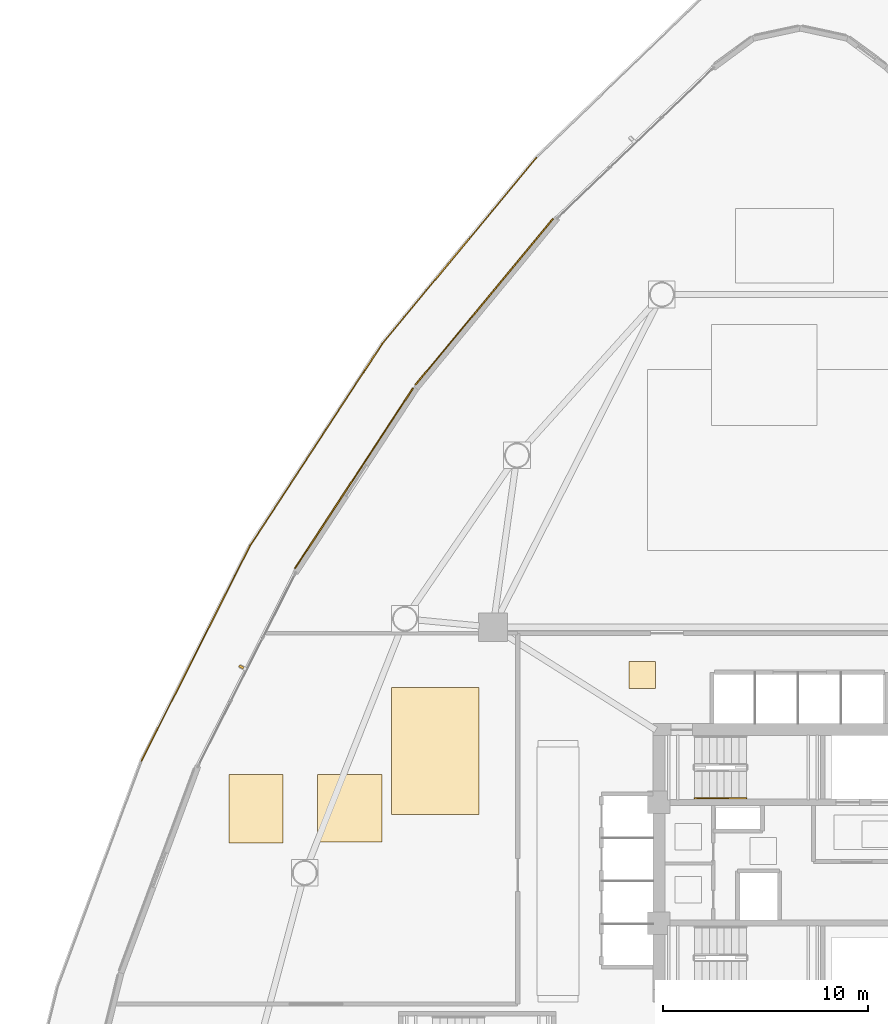
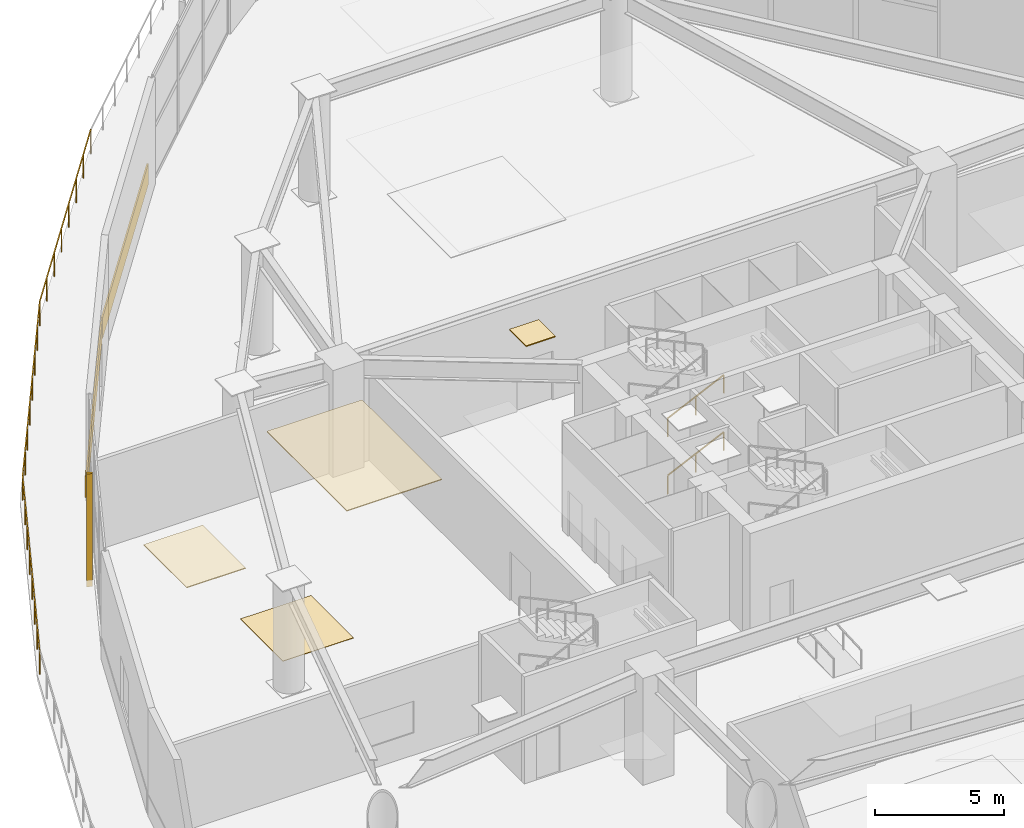
# One storey, part 21 of 25: 6 coverings, 5 railings, 1 shading device.
"""IFC4 building model written with IfcOpenShell, lengths in metres."""

import ifcopenshell
import ifcopenshell.guid

model = None  # the IFC model being written
_history = None  # IfcOwnerHistory: only IFC2X3 demands one
_inside = {}  # id of a spatial element -> (the spatial element, [elements in it])
_under = {}  # id of a project, library or spatial element -> (it, [spatial elements below it])
_declared = {}  # id of a project -> (the project, [libraries it declares])
_typed = {}  # id of a type object -> (the type object, [elements of that type])
_made_of = {}  # id of a material, layer set ... -> (it, [elements and type objects made of it])


def new_model(schema):
    """Start an empty IFC model of exactly this schema.

    Asked for "IFC4X3", IfcOpenShell would pick the latest addendum, in which some entities
    have other attributes; the version numbers below select the first issue.
    IFC2X3 requires an IfcOwnerHistory on every rooted entity: one is made here for all.
    """
    global model, _history
    if schema == "IFC4X3":
        model = ifcopenshell.file(schema_version=(4, 3, 0, 0))
    else:
        model = ifcopenshell.file(schema=schema)
    _inside.clear()
    _under.clear()
    _declared.clear()
    _typed.clear()
    _made_of.clear()
    _history = None
    if model.schema == "IFC2X3":
        org = make("IfcOrganization", Name="unknown")
        user = make(
            "IfcPersonAndOrganization",
            ThePerson=make("IfcPerson", FamilyName="unknown"),
            TheOrganization=org,
        )
        app = make(
            "IfcApplication",
            ApplicationDeveloper=org,
            Version="unknown",
            ApplicationFullName="unknown",
            ApplicationIdentifier="unknown",
        )
        _history = make(
            "IfcOwnerHistory",
            OwningUser=user,
            OwningApplication=app,
            ChangeAction="ADDED",
            CreationDate=0,
        )
    return model


def make(cls, **values):
    """One entity of the class cls with the attributes given. An attribute that is None is left unset."""
    return model.create_entity(
        cls, **{name: value for name, value in values.items() if value is not None}
    )


def rooted(cls, **values):
    """An entity with a GlobalId (a new one), such as an element, a storey or a relation."""
    return make(cls, GlobalId=ifcopenshell.guid.new(), OwnerHistory=_history, **values)


def si_unit(unit_type, name, prefix=None):
    """IfcSIUnit, for example si_unit("LENGTHUNIT", "METRE", prefix="MILLI")."""
    return make("IfcSIUnit", UnitType=unit_type, Prefix=prefix, Name=name)


def assignment(units):
    """IfcUnitAssignment: the units of a project."""
    return None if units is None else make("IfcUnitAssignment", Units=units)


def point(xyz):
    """IfcCartesianPoint."""
    return None if xyz is None else make("IfcCartesianPoint", Coordinates=xyz)


def direction(xyz):
    """IfcDirection."""
    return None if xyz is None else make("IfcDirection", DirectionRatios=xyz)


def frame(location, z_axis=None, x_axis=None):
    """IfcAxis2Placement3D, a coordinate frame: its origin and axes. An axis left out is left unset."""
    return make(
        "IfcAxis2Placement3D",
        Location=point(location),
        Axis=direction(z_axis),
        RefDirection=direction(x_axis),
    )


def frame_2d(location, x_axis=None):
    """IfcAxis2Placement2D, a coordinate frame in the plane: its origin and x axis."""
    return make(
        "IfcAxis2Placement2D", Location=point(location), RefDirection=direction(x_axis)
    )


def origin():
    """The frame at (0, 0, 0) with its axes left unset."""
    return frame((0.0, 0.0, 0.0))


def origin_2d():
    """The frame at (0, 0) in the plane with its x axis left unset."""
    return frame_2d((0.0, 0.0))


def place(relative_to, where):
    """IfcLocalPlacement: puts the frame where relative to a parent placement (None: the world)."""
    return make(
        "IfcLocalPlacement", PlacementRelTo=relative_to, RelativePlacement=where
    )


def context(
    kind, dimensions, precision=None, world=None, true_north=None, identifier=None
):
    """IfcGeometricRepresentationContext, for example the 3D "Model" context."""
    return make(
        "IfcGeometricRepresentationContext",
        ContextIdentifier=identifier,
        ContextType=kind,
        CoordinateSpaceDimension=dimensions,
        Precision=precision,
        WorldCoordinateSystem=world,
        TrueNorth=true_north,
    )


def subcontext(parent, identifier, kind, view, scale=None):
    """IfcGeometricRepresentationSubContext, for example "Body" below "Model"."""
    return make(
        "IfcGeometricRepresentationSubContext",
        ContextIdentifier=identifier,
        ContextType=kind,
        ParentContext=parent,
        TargetScale=scale,
        TargetView=view,
    )


def project(units=None, contexts=None):
    """IfcProject with its units and contexts."""
    return rooted(
        "IfcProject",
        Name="project",
        RepresentationContexts=contexts,
        UnitsInContext=assignment(units),
    )


def spatial(cls, under=None, at=None, **own):
    """A site, building, storey or space (cls), placed at a placement, below another one or the project."""
    s = rooted(cls, ObjectPlacement=at, **own)
    if under is not None:
        _under.setdefault(under.id(), (under, []))[1].append(s)
    return s


def polyline(points):
    """IfcPolyline through the points."""
    return make("IfcPolyline", Points=[point(p) for p in points])


def profile(cls, at=None, kind="AREA", **sizes):
    """A parametric profile (cls). Its sizes go by their IFC names, for example OverallWidth=200.0."""
    return make(cls, ProfileType=kind, Position=at, **sizes)


def rectangle(**sizes):
    """IfcRectangleProfileDef."""
    return profile("IfcRectangleProfileDef", **sizes)


def outline(outer, holes=None, kind="AREA"):
    """IfcArbitraryClosedProfileDef: a profile drawn as a closed curve; with holes, ...WithVoids."""
    if holes is None:
        return make("IfcArbitraryClosedProfileDef", ProfileType=kind, OuterCurve=outer)
    return make(
        "IfcArbitraryProfileDefWithVoids",
        ProfileType=kind,
        OuterCurve=outer,
        InnerCurves=holes,
    )


def extrude(swept, where, along, depth):
    """IfcExtrudedAreaSolid: the profile swept, set in the frame where, extruded along a direction by depth."""
    return make(
        "IfcExtrudedAreaSolid",
        SweptArea=swept,
        Position=where,
        ExtrudedDirection=direction(along),
        Depth=depth,
    )


def shape(context_of_items, identifier, shape_type, items):
    """IfcShapeRepresentation: the items that make up one representation, for example the "Body"."""
    return make(
        "IfcShapeRepresentation",
        ContextOfItems=context_of_items,
        RepresentationIdentifier=identifier,
        RepresentationType=shape_type,
        Items=items,
    )


def source(mapping_origin, context_of_items, identifier, shape_type, items):
    """IfcRepresentationMap: a shape defined once, which mapped items show again and again."""
    return make(
        "IfcRepresentationMap",
        MappingOrigin=mapping_origin,
        MappedRepresentation=shape(context_of_items, identifier, shape_type, items),
    )


def transform(
    local_origin,
    x_axis=None,
    y_axis=None,
    z_axis=None,
    scale=None,
    scale2=None,
    scale3=None,
    uniform=True,
):
    """IfcCartesianTransformationOperator3D, or its non-uniform kind. x_axis, y_axis, z_axis: its Axis1, 2, 3."""
    if uniform:
        return make(
            "IfcCartesianTransformationOperator3D",
            Axis1=direction(x_axis),
            Axis2=direction(y_axis),
            LocalOrigin=point(local_origin),
            Scale=scale,
            Axis3=direction(z_axis),
        )
    return make(
        "IfcCartesianTransformationOperator3DnonUniform",
        Axis1=direction(x_axis),
        Axis2=direction(y_axis),
        LocalOrigin=point(local_origin),
        Scale=scale,
        Axis3=direction(z_axis),
        Scale2=scale2,
        Scale3=scale3,
    )


def mapped(mapping_source, mapping_target):
    """IfcMappedItem: shows the shape of a source again, moved by a transform."""
    return make(
        "IfcMappedItem", MappingSource=mapping_source, MappingTarget=mapping_target
    )


def material(Name=None, Category=None):
    """IfcMaterial."""
    return make("IfcMaterial", Name=Name, Category=Category)


def layer(
    of_material, thickness, ventilated=None, Name=None, Category=None, Priority=None
):
    """IfcMaterialLayer: one layer of a wall or slab, of a material (None: an air gap)."""
    return make(
        "IfcMaterialLayer",
        Material=of_material,
        LayerThickness=thickness,
        IsVentilated=ventilated,
        Name=Name,
        Category=Category,
        Priority=Priority,
    )


def layer_set(layers, Name=None):
    """IfcMaterialLayerSet."""
    return make("IfcMaterialLayerSet", MaterialLayers=layers, LayerSetName=Name)


def made_of(thing, what):
    """Note that an element or type object is made of a material, layer set ...; save() writes the relation."""
    if what is not None:
        _made_of.setdefault(what.id(), (what, []))[1].append(thing)
    return thing


def type_object(cls, material=None, **own):
    """A type object (cls), such as IfcWallType, which elements share."""
    return made_of(rooted(cls, **own), material)


def type_shapes(of_type, sources):
    """Give a type object the sources (RepresentationMaps) that its elements show as mapped items."""
    of_type.RepresentationMaps = sources


def element(
    cls,
    number,
    at=None,
    inside=None,
    cuts=None,
    type_object=None,
    material=None,
    context=None,
    identifier="Body",
    shape_type=None,
    held_by="IfcProductDefinitionShape",
    body=None,
    shapes=None,
    **own,
):
    """One element of the class cls, such as IfcWall. Its Tag is "e" and its number.

    at: its placement. inside: the storey or other place that contains it. cuts: it is an
    opening in that element (IfcRelVoidsElement). A single representation is given by context,
    identifier, shape_type and body (its items); several are given by shapes. held_by: the class
    of the entity that holds the representations. save() writes the other relations.
    """
    e = rooted(cls, Tag="e%d" % number, ObjectPlacement=at, **own)
    if body is not None:
        shapes = [shape(context, identifier, shape_type, body)]
    if shapes is not None:
        e.Representation = make(held_by, Representations=shapes)
    if inside is not None:
        _inside.setdefault(inside.id(), (inside, []))[1].append(e)
    if cuts is not None:
        rooted(
            "IfcRelVoidsElement", RelatingBuildingElement=cuts, RelatedOpeningElement=e
        )
    if type_object is not None:
        _typed.setdefault(type_object.id(), (type_object, []))[1].append(e)
    return made_of(e, material)


def aggregate(whole, parts):
    """IfcRelAggregates: a whole, such as a stair, and the parts it consists of."""
    return rooted("IfcRelAggregates", RelatingObject=whole, RelatedObjects=parts)


def save(model, path):
    """Write the relations noted so far, then the file.

    IfcRelAggregates (storeys below a building ...), IfcRelContainedInSpatialStructure (elements
    in a storey), IfcRelDefinesByType, IfcRelAssociatesMaterial and IfcRelDeclares: one each for
    every whole, place, type object, material and project.
    """
    for whole, parts in _under.values():
        aggregate(whole, parts)
    for where, things in _inside.values():
        rooted(
            "IfcRelContainedInSpatialStructure",
            RelatedElements=things,
            RelatingStructure=where,
        )
    for kind, things in _typed.values():
        rooted("IfcRelDefinesByType", RelatedObjects=things, RelatingType=kind)
    for what, things in _made_of.values():
        rooted("IfcRelAssociatesMaterial", RelatedObjects=things, RelatingMaterial=what)
    for by, libraries in _declared.values():
        rooted("IfcRelDeclares", RelatingContext=by, RelatedDefinitions=libraries)
    model.write(path)


model = new_model("IFC4")

# Units and contexts
model_context = context("Model", 3, precision=1e-05, world=origin(), true_north=direction((0.0, 1.0)))
body_context = subcontext(model_context, "Body", "Model", "MODEL_VIEW")
ifc_project = project(units=[si_unit("LENGTHUNIT", "METRE"), si_unit("AREAUNIT", "SQUARE_METRE"), si_unit("VOLUMEUNIT", "CUBIC_METRE"), si_unit("PLANEANGLEUNIT", "RADIAN"), si_unit("MASSUNIT", "GRAM", prefix="KILO")], contexts=[model_context])

# Site, building, storey
site_placement = place(None, origin())
site = spatial("IfcSite", under=ifc_project, at=site_placement, CompositionType="ELEMENT")
building_placement = place(site_placement, origin())
building = spatial("IfcBuilding", under=site, at=building_placement, Name="Tavelor Broadcast Tower", CompositionType="ELEMENT")
storey_placement = place(building_placement, frame((0.0, 0.0, 11.39990234375)))
storey = spatial("IfcBuildingStorey", under=building, at=storey_placement, Name="L02", CompositionType="ELEMENT", Elevation=11.39990234375)

# Covering
ifc_material_1 = material(Name="Copper-Bronze Anodized Aluminium", Category="aluminium")
ifc_layer_1 = layer(ifc_material_1, 0.044921875)
ifc_layer_set_1 = layer_set([ifc_layer_1], Name="Copper-Bronze Anodized Aluminium")
covering_type_1 = type_object("IfcCoveringType", Name="Anodised Bronze Linear Slatted Concourse Ceiling 45 mm", PredefinedType="CEILING", material=ifc_layer_set_1)
covering_1_placement = place(storey_placement, frame((0.0, 0.0, 5.005126953125)))
element("IfcCovering", 1, at=covering_1_placement, inside=storey, type_object=covering_type_1, Name="L02 Suspended Acoustic Ceiling 0059", PredefinedType="CEILING", context=body_context, shape_type="SweptSolid", body=[
    extrude(outline(polyline([(41.627197265625, 53.513671875), (42.92724609375, 53.513671875), (42.92724609375, 54.813720703125), (41.627197265625, 54.813720703125), (41.627197265625, 53.513671875)])), origin(), (0.0, 0.0, 1.0), 0.044921875),
])

# Railings
ifc_material_2 = material(Name="Steel S355", Category="steel")
railing_type_1 = type_object("IfcRailingType", Name="Continuous Brushed Stainless Handrail 900 mm", PredefinedType="HANDRAIL", material=ifc_material_2)
for number, where, name in (
    (2, (44.85009765625, 48.14990234375, 0.1689453125), "L02 ST1 stair handrail 1"),
    (3, (44.85009765625, 48.14990234375, 2.868896484375), "L02 ST1 stair handrail 3"),
):
    element("IfcRailing", number, at=place(storey_placement, frame(where)), inside=storey, type_object=railing_type_1, Name=name, PredefinedType="HANDRAIL", context=body_context, shape_type="SweptSolid", body=[
        extrude(rectangle(XDim=0.048095703125, YDim=0.048095703125, at=origin_2d()), frame((0.0, 0.0, 0.8759765625), z_axis=(0.905473684625, 0.0, 0.424402410988), x_axis=(0.0, 1.0, 0.0)), (0.0, 0.0, 1.0), 2.783203125),
        extrude(rectangle(XDim=0.0419921875, YDim=0.0419921875, at=origin_2d()), origin(), (0.0, 0.0, 1.0), 0.851806640625),
        extrude(rectangle(XDim=0.0419921875, YDim=0.0419921875, at=origin_2d()), frame((1.260009765625, 0.0, 0.590576171875)), (0.0, 0.0, 1.0), 0.851806640625),
        extrude(rectangle(XDim=0.0419921875, YDim=0.0419921875, at=origin_2d()), frame((2.52001953125, 0.0, 1.18115234375)), (0.0, 0.0, 1.0), 0.851806640625),
    ])

# Covering
ifc_material_3 = material(Name="Acoustic Nylon Carpet Tile")
ifc_layer_2 = layer(ifc_material_3, 0.02001953125)
ifc_layer_set_2 = layer_set([ifc_layer_2], Name="Acoustic Nylon Carpet Tile")
covering_type_2 = type_object("IfcCoveringType", Name="Heavy-Duty Acoustic Broadcast Carpet Tile 20 mm", PredefinedType="FLOORING", material=ifc_layer_set_2)
covering_2_placement = place(storey_placement, origin())
element("IfcCovering", 4, at=covering_2_placement, inside=storey, type_object=covering_type_2, Name="L02 Broadcast Floor Finish 0029", PredefinedType="FLOORING", context=body_context, shape_type="SweptSolid", body=[
    extrude(outline(polyline([(26.419677734375, 46.01220703125), (29.5791015625, 46.01220703125), (29.5791015625, 49.3076171875), (26.419677734375, 49.3076171875), (26.419677734375, 46.01220703125)])), origin(), (0.0, 0.0, 1.0), 0.02001953125),
])

# Railings
railing_type_2 = type_object("IfcRailingType", Name="Planted Terrace Laminated Glass Balustrade 1150 mm", PredefinedType="BALUSTRADE", material=ifc_material_2)
railing_1_placement = place(storey_placement, frame((37.11865234375, 79.440185546875, 0.0)))
element("IfcRailing", 5, at=railing_1_placement, inside=storey, type_object=railing_type_2, Name="L02 Cascading Garden Terrace 1 Balustrade #39", PredefinedType="BALUSTRADE", context=body_context, shape_type="SweptSolid", body=[
    extrude(rectangle(XDim=0.048095703125, YDim=0.048095703125, at=origin_2d()), frame((0.0, 0.0, 1.1259765625), z_axis=(-0.638070467741, -0.76997797254, 0.0), x_axis=(0.76997797254, -0.638070467741, 0.0)), (0.0, 0.0, 1.0), 11.793701171875),
    extrude(rectangle(XDim=0.0419921875, YDim=0.0419921875, at=origin_2d()), origin(), (0.0, 0.0, 1.0), 1.101806640625),
    extrude(rectangle(XDim=0.0419921875, YDim=0.0419921875, at=origin_2d()), frame((-1.074951171875, -1.29736328125, 0.0)), (0.0, 0.0, 1.0), 1.101806640625),
    extrude(rectangle(XDim=0.0419921875, YDim=0.0419921875, at=origin_2d()), frame((-2.150146484375, -2.594482421875, 0.0)), (0.0, 0.0, 1.0), 1.101806640625),
    extrude(rectangle(XDim=0.0419921875, YDim=0.0419921875, at=origin_2d()), frame((-3.22509765625, -3.891845703125, 0.0)), (0.0, 0.0, 1.0), 1.101806640625),
    extrude(rectangle(XDim=0.0419921875, YDim=0.0419921875, at=origin_2d()), frame((-4.300048828125, -5.18896484375, 0.0)), (0.0, 0.0, 1.0), 1.101806640625),
    extrude(rectangle(XDim=0.0419921875, YDim=0.0419921875, at=origin_2d()), frame((-5.375, -6.486328125, 0.0)), (0.0, 0.0, 1.0), 1.101806640625),
    extrude(rectangle(XDim=0.0419921875, YDim=0.0419921875, at=origin_2d()), frame((-6.4501953125, -7.783447265625, 0.0)), (0.0, 0.0, 1.0), 1.101806640625),
    extrude(rectangle(XDim=0.0419921875, YDim=0.0419921875, at=origin_2d()), frame((-7.525146484375, -9.080810546875, 0.0)), (0.0, 0.0, 1.0), 1.101806640625),
])
railing_2_placement = place(storey_placement, frame((29.60009765625, 70.368408203125, 0.0)))
element("IfcRailing", 6, at=railing_2_placement, inside=storey, type_object=railing_type_2, Name="L02 Cascading Garden Terrace 1 Balustrade #40", PredefinedType="BALUSTRADE", context=body_context, shape_type="SweptSolid", body=[
    extrude(rectangle(XDim=0.048095703125, YDim=0.048095703125, at=origin_2d()), frame((0.0, 0.0, 1.1259765625), z_axis=(-0.547797497948, -0.836610961703, 0.0), x_axis=(0.836610961703, -0.547797497948, 0.0)), (0.0, 0.0, 1.0), 11.7939453125),
    extrude(rectangle(XDim=0.0419921875, YDim=0.0419921875, at=origin_2d()), origin(), (0.0, 0.0, 1.0), 1.101806640625),
    extrude(rectangle(XDim=0.0419921875, YDim=0.0419921875, at=origin_2d()), frame((-0.9228515625, -1.40966796875, 0.0)), (0.0, 0.0, 1.0), 1.101806640625),
    extrude(rectangle(XDim=0.0419921875, YDim=0.0419921875, at=origin_2d()), frame((-1.845947265625, -2.819091796875, 0.0)), (0.0, 0.0, 1.0), 1.101806640625),
    extrude(rectangle(XDim=0.0419921875, YDim=0.0419921875, at=origin_2d()), frame((-2.768798828125, -4.228759765625, 0.0)), (0.0, 0.0, 1.0), 1.101806640625),
    extrude(rectangle(XDim=0.0419921875, YDim=0.0419921875, at=origin_2d()), frame((-3.69189453125, -5.63818359375, 0.0)), (0.0, 0.0, 1.0), 1.101806640625),
    extrude(rectangle(XDim=0.0419921875, YDim=0.0419921875, at=origin_2d()), frame((-4.61474609375, -7.0478515625, 0.0)), (0.0, 0.0, 1.0), 1.101806640625),
    extrude(rectangle(XDim=0.0419921875, YDim=0.0419921875, at=origin_2d()), frame((-5.537841796875, -8.457275390625, 0.0)), (0.0, 0.0, 1.0), 1.101806640625),
    extrude(rectangle(XDim=0.0419921875, YDim=0.0419921875, at=origin_2d()), frame((-6.460693359375, -9.866943359375, 0.0)), (0.0, 0.0, 1.0), 1.101806640625),
])
railing_3_placement = place(storey_placement, frame((23.14501953125, 60.510986328125, 0.0)))
element("IfcRailing", 7, at=railing_3_placement, inside=storey, type_object=railing_type_2, Name="L02 Cascading Garden Terrace 1 Balustrade #41", PredefinedType="BALUSTRADE", context=body_context, shape_type="SweptSolid", body=[
    extrude(rectangle(XDim=0.048095703125, YDim=0.048095703125, at=origin_2d()), frame((0.0, 0.0, 1.1259765625), z_axis=(-0.450621886257, -0.892714912851, 0.0), x_axis=(0.892714912851, -0.450621886257, 0.0)), (0.0, 0.0, 1.0), 11.793701171875),
    extrude(rectangle(XDim=0.0419921875, YDim=0.0419921875, at=origin_2d()), origin(), (0.0, 0.0, 1.0), 1.101806640625),
    extrude(rectangle(XDim=0.0419921875, YDim=0.0419921875, at=origin_2d()), frame((-0.75927734375, -1.504150390625, 0.0)), (0.0, 0.0, 1.0), 1.101806640625),
    extrude(rectangle(XDim=0.0419921875, YDim=0.0419921875, at=origin_2d()), frame((-1.518310546875, -3.008056640625, 0.0)), (0.0, 0.0, 1.0), 1.101806640625),
    extrude(rectangle(XDim=0.0419921875, YDim=0.0419921875, at=origin_2d()), frame((-2.277587890625, -4.51220703125, 0.0)), (0.0, 0.0, 1.0), 1.101806640625),
    extrude(rectangle(XDim=0.0419921875, YDim=0.0419921875, at=origin_2d()), frame((-3.036865234375, -6.01611328125, 0.0)), (0.0, 0.0, 1.0), 1.101806640625),
    extrude(rectangle(XDim=0.0419921875, YDim=0.0419921875, at=origin_2d()), frame((-3.796142578125, -7.520263671875, 0.0)), (0.0, 0.0, 1.0), 1.101806640625),
    extrude(rectangle(XDim=0.0419921875, YDim=0.0419921875, at=origin_2d()), frame((-4.55517578125, -9.024169921875, 0.0)), (0.0, 0.0, 1.0), 1.101806640625),
    extrude(rectangle(XDim=0.0419921875, YDim=0.0419921875, at=origin_2d()), frame((-5.314453125, -10.5283203125, 0.0)), (0.0, 0.0, 1.0), 1.101806640625),
])

# Coverings
ifc_material_4 = material(Name="Kiln-Fired Glazed Terracotta", Category="masonry")
ifc_layer_3 = layer(ifc_material_4, 0.06494140625)
ifc_layer_set_3 = layer_set([ifc_layer_3], Name="Kiln-Fired Glazed Terracotta")
covering_type_3 = type_object("IfcCoveringType", Name="Ribbed Terracotta Rainscreen Spandrel Cladding 65 mm", PredefinedType="CLADDING", material=ifc_layer_set_3)
for number, where, z_axis, x_axis, name in (
    (8, (34.569091796875, 72.39208984375, 0.050048828125), (0.0, 0.0, 1.0), (-0.638096146601, -0.769956692089, 0.0), "L02 Terracotta Spandrel Rainscreen 06"),
    (9, (28.204833984375, 63.7705078125, 0.050048828125), (0.0, 0.0, 1.0), (-0.547855275974, -0.836573126862, 0.0), "L02 Terracotta Spandrel Rainscreen 07"),
):
    element("IfcCovering", number, at=place(storey_placement, frame(where, z_axis=z_axis, x_axis=x_axis)), inside=storey, type_object=covering_type_3, Name=name, PredefinedType="CLADDING", context=body_context, shape_type="SweptSolid", body=[
        extrude(rectangle(XDim=10.533203125, YDim=0.06494140625, at=origin_2d()), origin(), (0.0, 0.0, 1.0), 1.0),
    ])
ifc_material_5 = material(Name="Acoustic Mineral Fibre Tile")
ifc_layer_4 = layer(ifc_material_5, 0.0400390625)
ifc_layer_set_4 = layer_set([ifc_layer_4], Name="Acoustic Mineral Fibre Tile")
covering_type_4 = type_object("IfcCoveringType", Name="Suspended Acoustic Mineral-Fibre Office Ceiling 40 mm", PredefinedType="CEILING", material=ifc_layer_set_4)
covering_3_placement = place(storey_placement, frame((0.0, 0.0, 5.010009765625)))
element("IfcCovering", 10, at=covering_3_placement, inside=storey, type_object=covering_type_4, Name="L02 Suspended Acoustic Ceiling 0072", PredefinedType="CEILING", context=body_context, shape_type="SweptSolid", body=[
    extrude(outline(polyline([(22.090576171875, 45.96728515625), (24.728271484375, 45.96728515625), (24.728271484375, 49.30419921875), (22.090576171875, 49.30419921875), (22.090576171875, 45.96728515625)])), origin(), (0.0, 0.0, 1.0), 0.0400390625),
])
covering_4_placement = place(storey_placement, frame((0.0, 0.0, 5.010009765625)))
element("IfcCovering", 11, at=covering_4_placement, inside=storey, type_object=covering_type_4, Name="L02 Suspended Acoustic Ceiling 0073", PredefinedType="CEILING", context=body_context, shape_type="SweptSolid", body=[
    extrude(outline(polyline([(30.04736328125, 47.35498046875), (34.305419921875, 47.35498046875), (34.305419921875, 53.5458984375), (30.04736328125, 53.5458984375), (30.04736328125, 47.35498046875)])), origin(), (0.0, 0.0, 1.0), 0.0400390625),
])

# Shading device
shading_device_type = type_object("IfcShadingDeviceType", Name="Extruded Terracotta Baguette Sun-Screen 110x240", PredefinedType="JALOUSIE", material=ifc_material_4)
shared_shape = source(origin(), body_context, "Body", "SweptSolid", [
    extrude(rectangle(XDim=0.110107421875, YDim=0.239990234375, at=origin_2d()), origin(), (0.0, 0.0, 1.0), 5.340087890625),
])
type_shapes(shading_device_type, [shared_shape])
shading_device_placement = place(storey_placement, frame((22.7041015625, 54.56201171875, -0.31005859375), z_axis=(0.0, 0.0, 1.0), x_axis=(-0.450565941999, -0.892743150022, 0.0)))
element("IfcShadingDevice", 12, at=shading_device_placement, inside=storey, type_object=shading_device_type, Name="L02 Terracotta Baguette Fin 8", PredefinedType="JALOUSIE", context=body_context, shape_type="MappedRepresentation", body=[
    mapped(shared_shape, transform((0.0, 0.0, 0.0), scale=1.0)),
])

save(model, "model.ifc")
